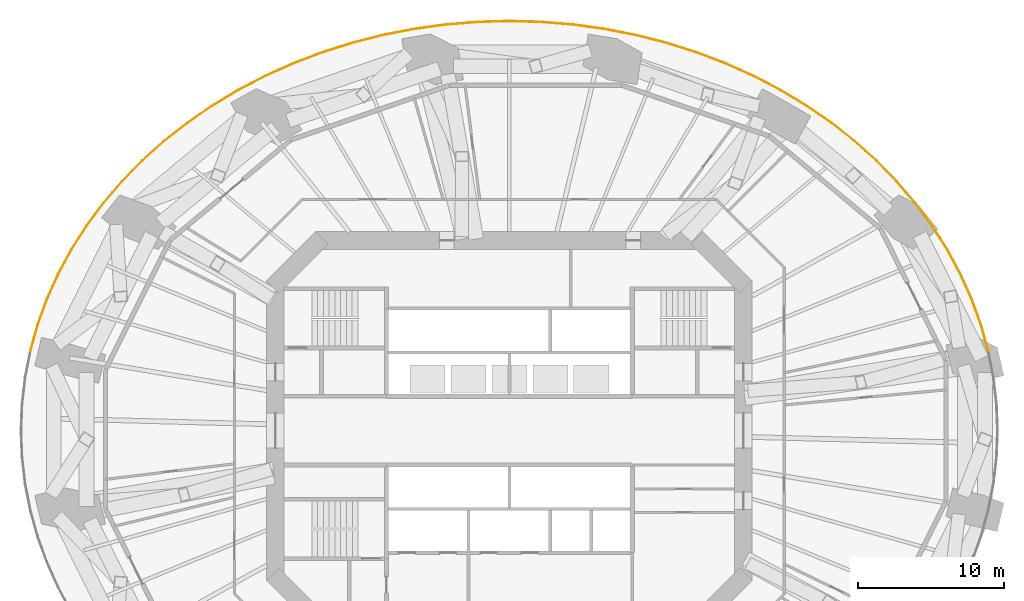
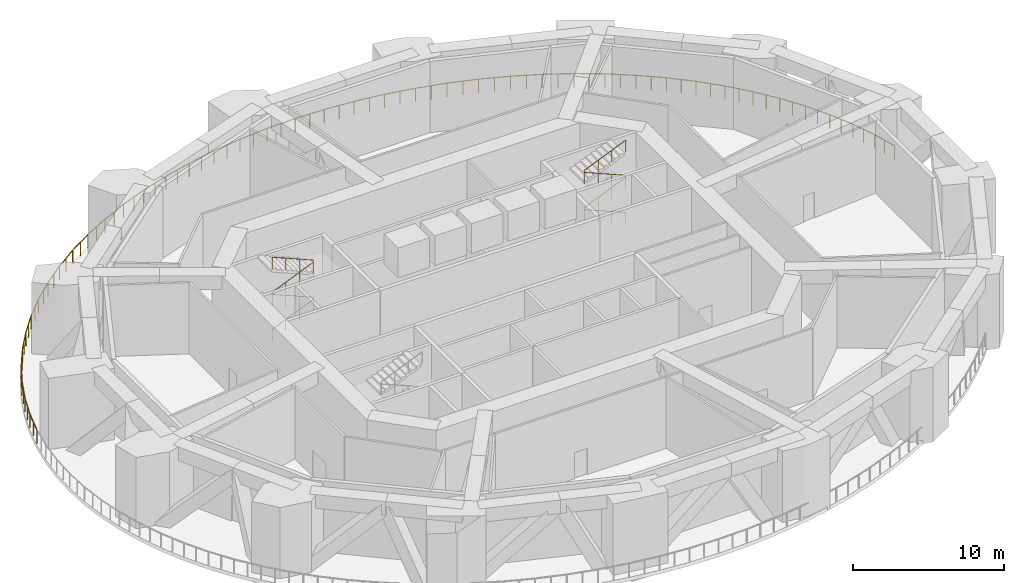
# One storey, part 10 of 12: 9 railings.
"""IFC4 building model written with IfcOpenShell, lengths in metres."""

from ifc_helpers import new_model, si_unit, direction, frame, origin, origin_2d, place, context, subcontext, project, spatial, circle, extrude, material, type_object, element, save


model = new_model("IFC4")

# Units and contexts
model_context = context("Model", 3, precision=1e-05, world=origin(), true_north=direction((0.0, 1.0)))
body_context = subcontext(model_context, "Body", "Model", "MODEL_VIEW")
ifc_project = project(units=[si_unit("LENGTHUNIT", "METRE"), si_unit("AREAUNIT", "SQUARE_METRE"), si_unit("VOLUMEUNIT", "CUBIC_METRE"), si_unit("PLANEANGLEUNIT", "RADIAN"), si_unit("MASSUNIT", "GRAM", prefix="KILO")], contexts=[model_context])

# Site, building, storey
site_placement = place(None, origin())
site = spatial("IfcSite", under=ifc_project, at=site_placement, CompositionType="ELEMENT")
building_placement = place(site_placement, origin())
building = spatial("IfcBuilding", under=site, at=building_placement, Name="Marenthal Gate Tower", CompositionType="ELEMENT")
storey_placement = place(building_placement, frame((0.0, 0.0, 149.64990234375)))
storey = spatial("IfcBuildingStorey", under=building, at=storey_placement, Name="L32", CompositionType="ELEMENT", Elevation=149.64990234375)

# Railings
ifc_material_1 = material(Name="Stainless steel", Category="steel")
railing_type_1 = type_object("IfcRailingType", Name="Balcony guard 1100", PredefinedType="GUARDRAIL", material=ifc_material_1)
railing_1_placement = place(storey_placement, frame((32.7412109375, 5.459228515625, 0.0)))
element("IfcRailing", 1, at=railing_1_placement, inside=storey, type_object=railing_type_1, Name="Refuge band guard L32 bay 1", PredefinedType="GUARDRAIL", context=body_context, shape_type="SweptSolid", body=[
    extrude(circle(Radius=0.02392578125, at=origin_2d()), frame((0.0, 0.0, 1.076171875), z_axis=(-0.267745901035, 0.96348956013, 0.0), x_axis=(-0.96348956013, -0.267745901035, 0.0)), (0.0, 0.0, 1.0), 1.85107421875),
    extrude(circle(Radius=0.02392578125, at=origin_2d()), frame((-0.49560546875, 1.783447265625, 1.076171875), z_axis=(-0.339985708221, 0.940430602546, 0.0), x_axis=(-0.940430602546, -0.339985708221, 0.0)), (0.0, 0.0, 1.0), 1.863525390625),
    extrude(circle(Radius=0.02392578125, at=origin_2d()), frame((-1.129150390625, 3.535888671875, 1.076171875), z_axis=(-0.409235005447, 0.912429016591, 0.0), x_axis=(-0.912429016591, -0.409235005447, 0.0)), (0.0, 0.0, 1.0), 1.878662109375),
    extrude(circle(Radius=0.02392578125, at=origin_2d()), frame((-1.89794921875, 5.25, 1.076171875), z_axis=(-0.475212709852, 0.879870945307, 0.0), x_axis=(-0.879870945307, -0.475212709852, 0.0)), (0.0, 0.0, 1.0), 1.896240234375),
    extrude(circle(Radius=0.02392578125, at=origin_2d()), frame((-2.799072265625, 6.91845703125, 1.076171875), z_axis=(-0.537254826566, 0.843419973282, 0.0), x_axis=(-0.843419973282, -0.537254826566, 0.0)), (0.0, 0.0, 1.0), 1.915283203125),
    extrude(circle(Radius=0.02392578125, at=origin_2d()), frame((-3.828125, 8.533935546875, 1.076171875), z_axis=(-0.595471752599, 0.803376245514, 0.0), x_axis=(-0.803376245514, -0.595471752599, 0.0)), (0.0, 0.0, 1.0), 1.9365234375),
    extrude(circle(Radius=0.02099609375, at=origin_2d()), origin(), (0.0, 0.0, 1.0), 1.052001953125),
    extrude(circle(Radius=0.02099609375, at=origin_2d()), frame((-0.247802734375, 0.8916015625, 0.0)), (0.0, 0.0, 1.0), 1.052001953125),
    extrude(circle(Radius=0.02099609375, at=origin_2d()), frame((-0.49560546875, 1.783447265625, 0.0)), (0.0, 0.0, 1.0), 1.052001953125),
    extrude(circle(Radius=0.02099609375, at=origin_2d()), frame((-0.8125, 2.65966796875, 0.0)), (0.0, 0.0, 1.0), 1.052001953125),
    extrude(circle(Radius=0.02099609375, at=origin_2d()), frame((-1.129150390625, 3.535888671875, 0.0)), (0.0, 0.0, 1.0), 1.052001953125),
    extrude(circle(Radius=0.02099609375, at=origin_2d()), frame((-1.513671875, 4.39306640625, 0.0)), (0.0, 0.0, 1.0), 1.052001953125),
    extrude(circle(Radius=0.02099609375, at=origin_2d()), frame((-1.89794921875, 5.25, 0.0)), (0.0, 0.0, 1.0), 1.052001953125),
    extrude(circle(Radius=0.02099609375, at=origin_2d()), frame((-2.3486328125, 6.084228515625, 0.0)), (0.0, 0.0, 1.0), 1.052001953125),
    extrude(circle(Radius=0.02099609375, at=origin_2d()), frame((-2.799072265625, 6.91845703125, 0.0)), (0.0, 0.0, 1.0), 1.052001953125),
    extrude(circle(Radius=0.02099609375, at=origin_2d()), frame((-3.3134765625, 7.72607421875, 0.0)), (0.0, 0.0, 1.0), 1.052001953125),
    extrude(circle(Radius=0.02099609375, at=origin_2d()), frame((-3.828125, 8.533935546875, 0.0)), (0.0, 0.0, 1.0), 1.052001953125),
    extrude(circle(Radius=0.02099609375, at=origin_2d()), frame((-4.40478515625, 9.311767578125, 0.0)), (0.0, 0.0, 1.0), 1.052001953125),
    extrude(circle(Radius=0.02099609375, at=origin_2d()), frame((-4.981201171875, 10.089599609375, 0.0)), (0.0, 0.0, 1.0), 1.052001953125),
])
railing_2_placement = place(storey_placement, frame((27.760009765625, 15.548828125, 0.0)))
element("IfcRailing", 2, at=railing_2_placement, inside=storey, type_object=railing_type_1, Name="Refuge band guard L32 bay 2", PredefinedType="GUARDRAIL", context=body_context, shape_type="SweptSolid", body=[
    extrude(circle(Radius=0.02392578125, at=origin_2d()), frame((0.0, 0.0, 1.076171875), z_axis=(-0.649322174047, 0.760513454379, 0.0), x_axis=(-0.760513454379, -0.649322174047, 0.0)), (0.0, 0.0, 1.0), 1.95849609375),
    extrude(circle(Radius=0.02392578125, at=origin_2d()), frame((-1.271728515625, 1.489501953125, 1.076171875), z_axis=(-0.699300999603, 0.714827330167, 0.0), x_axis=(-0.714827330167, -0.699300999603, 0.0)), (0.0, 0.0, 1.0), 1.981201171875),
    extrude(circle(Radius=0.02392578125, at=origin_2d()), frame((-2.6572265625, 2.90576171875, 1.076171875), z_axis=(-0.744776062961, 0.667314480616, 0.0), x_axis=(-0.667314480616, -0.744776062961, 0.0)), (0.0, 0.0, 1.0), 2.004638671875),
    extrude(circle(Radius=0.02392578125, at=origin_2d()), frame((-4.150146484375, 4.243408203125, 1.076171875), z_axis=(-0.786301624958, 0.617842823531, 0.0), x_axis=(-0.617842823531, -0.786301624958, 0.0)), (0.0, 0.0, 1.0), 2.027587890625),
    extrude(circle(Radius=0.02392578125, at=origin_2d()), frame((-5.744384765625, 5.49609375, 1.076171875), z_axis=(-0.823583008106, 0.567195758763, 0.0), x_axis=(-0.567195758763, -0.823583008106, 0.0)), (0.0, 0.0, 1.0), 2.050048828125),
    extrude(circle(Radius=0.02392578125, at=origin_2d()), frame((-7.432861328125, 6.658935546875, 1.076171875), z_axis=(-0.85704556715, 0.51524061935, 0.0), x_axis=(-0.51524061935, -0.85704556715, 0.0)), (0.0, 0.0, 1.0), 2.072021484375),
    extrude(circle(Radius=0.02099609375, at=origin_2d()), origin(), (0.0, 0.0, 1.0), 1.052001953125),
    extrude(circle(Radius=0.02099609375, at=origin_2d()), frame((-0.6357421875, 0.74462890625, 0.0)), (0.0, 0.0, 1.0), 1.052001953125),
    extrude(circle(Radius=0.02099609375, at=origin_2d()), frame((-1.271728515625, 1.489501953125, 0.0)), (0.0, 0.0, 1.0), 1.052001953125),
    extrude(circle(Radius=0.02099609375, at=origin_2d()), frame((-1.96435546875, 2.19775390625, 0.0)), (0.0, 0.0, 1.0), 1.052001953125),
    extrude(circle(Radius=0.02099609375, at=origin_2d()), frame((-2.6572265625, 2.90576171875, 0.0)), (0.0, 0.0, 1.0), 1.052001953125),
    extrude(circle(Radius=0.02099609375, at=origin_2d()), frame((-3.40380859375, 3.57470703125, 0.0)), (0.0, 0.0, 1.0), 1.052001953125),
    extrude(circle(Radius=0.02099609375, at=origin_2d()), frame((-4.150146484375, 4.243408203125, 0.0)), (0.0, 0.0, 1.0), 1.052001953125),
    extrude(circle(Radius=0.02099609375, at=origin_2d()), frame((-4.947265625, 4.86962890625, 0.0)), (0.0, 0.0, 1.0), 1.052001953125),
    extrude(circle(Radius=0.02099609375, at=origin_2d()), frame((-5.744384765625, 5.49609375, 0.0)), (0.0, 0.0, 1.0), 1.052001953125),
    extrude(circle(Radius=0.02099609375, at=origin_2d()), frame((-6.588623046875, 6.07763671875, 0.0)), (0.0, 0.0, 1.0), 1.052001953125),
    extrude(circle(Radius=0.02099609375, at=origin_2d()), frame((-7.432861328125, 6.658935546875, 0.0)), (0.0, 0.0, 1.0), 1.052001953125),
    extrude(circle(Radius=0.02099609375, at=origin_2d()), frame((-8.32080078125, 7.19287109375, 0.0)), (0.0, 0.0, 1.0), 1.052001953125),
    extrude(circle(Radius=0.02099609375, at=origin_2d()), frame((-9.208740234375, 7.7265625, 0.0)), (0.0, 0.0, 1.0), 1.052001953125),
])
railing_3_placement = place(storey_placement, frame((18.55126953125, 23.275390625, 0.0)))
element("IfcRailing", 3, at=railing_3_placement, inside=storey, type_object=railing_type_1, Name="Refuge band guard L32 bay 3", PredefinedType="GUARDRAIL", context=body_context, shape_type="SweptSolid", body=[
    extrude(circle(Radius=0.02392578125, at=origin_2d()), frame((0.0, 0.0, 1.076171875), z_axis=(-0.886570283729, 0.462593916961, 0.0), x_axis=(-0.462593916961, -0.886570283729, 0.0)), (0.0, 0.0, 1.0), 2.092529296875),
    extrude(circle(Radius=0.02392578125, at=origin_2d()), frame((-1.855224609375, 0.968017578125, 1.076171875), z_axis=(-0.912414062533, 0.409268345333, 0.0), x_axis=(-0.409268345333, -0.912414062533, 0.0)), (0.0, 0.0, 1.0), 2.11181640625),
    extrude(circle(Radius=0.02392578125, at=origin_2d()), frame((-3.781982421875, 1.832275390625, 1.076171875), z_axis=(-0.934736360332, 0.355341999591, 0.0), x_axis=(-0.355341999591, -0.934736360332, 0.0)), (0.0, 0.0, 1.0), 2.129150390625),
    extrude(circle(Radius=0.02392578125, at=origin_2d()), frame((-5.772216796875, 2.5888671875, 1.076171875), z_axis=(-0.953584385732, 0.301125919324, 0.0), x_axis=(-0.301125919324, -0.953584385732, 0.0)), (0.0, 0.0, 1.0), 2.14453125),
    extrude(circle(Radius=0.02392578125, at=origin_2d()), frame((-7.817138671875, 3.234619140625, 1.076171875), z_axis=(-0.969102091628, 0.246659960274, 0.0), x_axis=(-0.246659960274, -0.969102091628, 0.0)), (0.0, 0.0, 1.0), 2.15771484375),
    extrude(circle(Radius=0.02392578125, at=origin_2d()), frame((-9.908203125, 3.766845703125, 1.076171875), z_axis=(-0.98140326105, 0.19195738902, 0.0), x_axis=(-0.19195738902, -0.98140326105, 0.0)), (0.0, 0.0, 1.0), 2.16845703125),
    extrude(circle(Radius=0.02099609375, at=origin_2d()), origin(), (0.0, 0.0, 1.0), 1.052001953125),
    extrude(circle(Radius=0.02099609375, at=origin_2d()), frame((-0.927734375, 0.48388671875, 0.0)), (0.0, 0.0, 1.0), 1.052001953125),
    extrude(circle(Radius=0.02099609375, at=origin_2d()), frame((-1.855224609375, 0.968017578125, 0.0)), (0.0, 0.0, 1.0), 1.052001953125),
    extrude(circle(Radius=0.02099609375, at=origin_2d()), frame((-2.818603515625, 1.400146484375, 0.0)), (0.0, 0.0, 1.0), 1.052001953125),
    extrude(circle(Radius=0.02099609375, at=origin_2d()), frame((-3.781982421875, 1.832275390625, 0.0)), (0.0, 0.0, 1.0), 1.052001953125),
    extrude(circle(Radius=0.02099609375, at=origin_2d()), frame((-4.777099609375, 2.21044921875, 0.0)), (0.0, 0.0, 1.0), 1.052001953125),
    extrude(circle(Radius=0.02099609375, at=origin_2d()), frame((-5.772216796875, 2.5888671875, 0.0)), (0.0, 0.0, 1.0), 1.052001953125),
    extrude(circle(Radius=0.02099609375, at=origin_2d()), frame((-6.794677734375, 2.91162109375, 0.0)), (0.0, 0.0, 1.0), 1.052001953125),
    extrude(circle(Radius=0.02099609375, at=origin_2d()), frame((-7.817138671875, 3.234619140625, 0.0)), (0.0, 0.0, 1.0), 1.052001953125),
    extrude(circle(Radius=0.02099609375, at=origin_2d()), frame((-8.86279296875, 3.500732421875, 0.0)), (0.0, 0.0, 1.0), 1.052001953125),
    extrude(circle(Radius=0.02099609375, at=origin_2d()), frame((-9.908203125, 3.766845703125, 0.0)), (0.0, 0.0, 1.0), 1.052001953125),
    extrude(circle(Radius=0.02099609375, at=origin_2d()), frame((-10.97216796875, 3.97509765625, 0.0)), (0.0, 0.0, 1.0), 1.052001953125),
    extrude(circle(Radius=0.02099609375, at=origin_2d()), frame((-12.036376953125, 4.18310546875, 0.0)), (0.0, 0.0, 1.0), 1.052001953125),
])
railing_4_placement = place(storey_placement, frame((6.514892578125, 27.45849609375, 0.0)))
element("IfcRailing", 4, at=railing_4_placement, inside=storey, type_object=railing_type_1, Name="Refuge band guard L32 bay 4", PredefinedType="GUARDRAIL", context=body_context, shape_type="SweptSolid", body=[
    extrude(circle(Radius=0.02392578125, at=origin_2d()), frame((0.0, 0.0, 1.076171875), z_axis=(-0.990530867855, 0.13729020295, 0.0), x_axis=(-0.13729020295, -0.990530867855, 0.0)), (0.0, 0.0, 1.0), 2.176513671875),
    extrude(circle(Radius=0.02392578125, at=origin_2d()), frame((-2.156005859375, 0.298828125, 1.076171875), z_axis=(-0.996604149015, 0.082341788693, 0.0), x_axis=(-0.082341788693, -0.996604149015, 0.0)), (0.0, 0.0, 1.0), 2.18212890625),
    extrude(circle(Radius=0.02392578125, at=origin_2d()), frame((-4.330810546875, 0.478515625, 1.076171875), z_axis=(-0.999622135389, 0.02748793263, 0.0), x_axis=(-0.02748793263, -0.999622135389, 0.0)), (0.0, 0.0, 1.0), 2.184814453125),
    extrude(circle(Radius=0.02392578125, at=origin_2d()), frame((-6.514892578125, 0.53857421875, 1.076171875), z_axis=(-0.999622135389, -0.02748793263, 0.0), x_axis=(0.02748793263, -0.999622135389, 0.0)), (0.0, 0.0, 1.0), 2.184814453125),
    extrude(circle(Radius=0.02392578125, at=origin_2d()), frame((-8.698974609375, 0.478515625, 1.076171875), z_axis=(-0.996604149015, -0.082341788693, 0.0), x_axis=(0.082341788693, -0.996604149015, 0.0)), (0.0, 0.0, 1.0), 2.18212890625),
    extrude(circle(Radius=0.02392578125, at=origin_2d()), frame((-10.873779296875, 0.298828125, 1.076171875), z_axis=(-0.990530867855, -0.13729020295, 0.0), x_axis=(0.13729020295, -0.990530867855, 0.0)), (0.0, 0.0, 1.0), 2.176513671875),
    extrude(circle(Radius=0.02099609375, at=origin_2d()), origin(), (0.0, 0.0, 1.0), 1.052001953125),
    extrude(circle(Radius=0.02099609375, at=origin_2d()), frame((-1.078125, 0.1494140625, 0.0)), (0.0, 0.0, 1.0), 1.052001953125),
    extrude(circle(Radius=0.02099609375, at=origin_2d()), frame((-2.156005859375, 0.298828125, 0.0)), (0.0, 0.0, 1.0), 1.052001953125),
    extrude(circle(Radius=0.02099609375, at=origin_2d()), frame((-3.243408203125, 0.388671875, 0.0)), (0.0, 0.0, 1.0), 1.052001953125),
    extrude(circle(Radius=0.02099609375, at=origin_2d()), frame((-4.330810546875, 0.478515625, 0.0)), (0.0, 0.0, 1.0), 1.052001953125),
    extrude(circle(Radius=0.02099609375, at=origin_2d()), frame((-5.4228515625, 0.508544921875, 0.0)), (0.0, 0.0, 1.0), 1.052001953125),
    extrude(circle(Radius=0.02099609375, at=origin_2d()), frame((-6.514892578125, 0.53857421875, 0.0)), (0.0, 0.0, 1.0), 1.052001953125),
    extrude(circle(Radius=0.02099609375, at=origin_2d()), frame((-7.60693359375, 0.508544921875, 0.0)), (0.0, 0.0, 1.0), 1.052001953125),
    extrude(circle(Radius=0.02099609375, at=origin_2d()), frame((-8.698974609375, 0.478515625, 0.0)), (0.0, 0.0, 1.0), 1.052001953125),
    extrude(circle(Radius=0.02099609375, at=origin_2d()), frame((-9.786376953125, 0.388671875, 0.0)), (0.0, 0.0, 1.0), 1.052001953125),
    extrude(circle(Radius=0.02099609375, at=origin_2d()), frame((-10.873779296875, 0.298828125, 0.0)), (0.0, 0.0, 1.0), 1.052001953125),
    extrude(circle(Radius=0.02099609375, at=origin_2d()), frame((-11.95166015625, 0.1494140625, 0.0)), (0.0, 0.0, 1.0), 1.052001953125),
    extrude(circle(Radius=0.02099609375, at=origin_2d()), frame((-13.02978515625, 0.0, 0.0)), (0.0, 0.0, 1.0), 1.052001953125),
])
railing_5_placement = place(storey_placement, frame((-6.514892578125, 27.45849609375, 0.0)))
element("IfcRailing", 5, at=railing_5_placement, inside=storey, type_object=railing_type_1, Name="Refuge band guard L32 bay 5", PredefinedType="GUARDRAIL", context=body_context, shape_type="SweptSolid", body=[
    extrude(circle(Radius=0.02392578125, at=origin_2d()), frame((0.0, 0.0, 1.076171875), z_axis=(-0.98140326105, -0.19195738902, 0.0), x_axis=(0.19195738902, -0.98140326105, 0.0)), (0.0, 0.0, 1.0), 2.16845703125),
    extrude(circle(Radius=0.02392578125, at=origin_2d()), frame((-2.128173828125, -0.416259765625, 1.076171875), z_axis=(-0.969102091628, -0.246659960274, 0.0), x_axis=(0.246659960274, -0.969102091628, 0.0)), (0.0, 0.0, 1.0), 2.15771484375),
    extrude(circle(Radius=0.02392578125, at=origin_2d()), frame((-4.21923828125, -0.948486328125, 1.076171875), z_axis=(-0.953584385732, -0.301125919324, 0.0), x_axis=(0.301125919324, -0.953584385732, 0.0)), (0.0, 0.0, 1.0), 2.14453125),
    extrude(circle(Radius=0.02392578125, at=origin_2d()), frame((-6.26416015625, -1.59423828125, 1.076171875), z_axis=(-0.934736360332, -0.355341999591, 0.0), x_axis=(0.355341999591, -0.934736360332, 0.0)), (0.0, 0.0, 1.0), 2.129150390625),
    extrude(circle(Radius=0.02392578125, at=origin_2d()), frame((-8.25439453125, -2.350830078125, 1.076171875), z_axis=(-0.912414062533, -0.409268345333, 0.0), x_axis=(0.409268345333, -0.912414062533, 0.0)), (0.0, 0.0, 1.0), 2.11181640625),
    extrude(circle(Radius=0.02392578125, at=origin_2d()), frame((-10.18115234375, -3.215087890625, 1.076171875), z_axis=(-0.886570283729, -0.462593916961, 0.0), x_axis=(0.462593916961, -0.886570283729, 0.0)), (0.0, 0.0, 1.0), 2.092529296875),
    extrude(circle(Radius=0.02099609375, at=origin_2d()), origin(), (0.0, 0.0, 1.0), 1.052001953125),
    extrude(circle(Radius=0.02099609375, at=origin_2d()), frame((-1.06396484375, -0.2080078125, 0.0)), (0.0, 0.0, 1.0), 1.052001953125),
    extrude(circle(Radius=0.02099609375, at=origin_2d()), frame((-2.128173828125, -0.416259765625, 0.0)), (0.0, 0.0, 1.0), 1.052001953125),
    extrude(circle(Radius=0.02099609375, at=origin_2d()), frame((-3.173828125, -0.682373046875, 0.0)), (0.0, 0.0, 1.0), 1.052001953125),
    extrude(circle(Radius=0.02099609375, at=origin_2d()), frame((-4.21923828125, -0.948486328125, 0.0)), (0.0, 0.0, 1.0), 1.052001953125),
    extrude(circle(Radius=0.02099609375, at=origin_2d()), frame((-5.24169921875, -1.271484375, 0.0)), (0.0, 0.0, 1.0), 1.052001953125),
    extrude(circle(Radius=0.02099609375, at=origin_2d()), frame((-6.26416015625, -1.59423828125, 0.0)), (0.0, 0.0, 1.0), 1.052001953125),
    extrude(circle(Radius=0.02099609375, at=origin_2d()), frame((-7.25927734375, -1.97265625, 0.0)), (0.0, 0.0, 1.0), 1.052001953125),
    extrude(circle(Radius=0.02099609375, at=origin_2d()), frame((-8.25439453125, -2.350830078125, 0.0)), (0.0, 0.0, 1.0), 1.052001953125),
    extrude(circle(Radius=0.02099609375, at=origin_2d()), frame((-9.2177734375, -2.782958984375, 0.0)), (0.0, 0.0, 1.0), 1.052001953125),
    extrude(circle(Radius=0.02099609375, at=origin_2d()), frame((-10.18115234375, -3.215087890625, 0.0)), (0.0, 0.0, 1.0), 1.052001953125),
    extrude(circle(Radius=0.02099609375, at=origin_2d()), frame((-11.10888671875, -3.69921875, 0.0)), (0.0, 0.0, 1.0), 1.052001953125),
    extrude(circle(Radius=0.02099609375, at=origin_2d()), frame((-12.036376953125, -4.18310546875, 0.0)), (0.0, 0.0, 1.0), 1.052001953125),
])
railing_6_placement = place(storey_placement, frame((-18.55126953125, 23.275390625, 0.0)))
element("IfcRailing", 6, at=railing_6_placement, inside=storey, type_object=railing_type_1, Name="Refuge band guard L32 bay 6", PredefinedType="GUARDRAIL", context=body_context, shape_type="SweptSolid", body=[
    extrude(circle(Radius=0.02392578125, at=origin_2d()), frame((0.0, 0.0, 1.076171875), z_axis=(-0.85704556715, -0.51524061935, 0.0), x_axis=(0.51524061935, -0.85704556715, 0.0)), (0.0, 0.0, 1.0), 2.072021484375),
    extrude(circle(Radius=0.02392578125, at=origin_2d()), frame((-1.77587890625, -1.067626953125, 1.076171875), z_axis=(-0.823583008106, -0.567195758763, 0.0), x_axis=(0.567195758763, -0.823583008106, 0.0)), (0.0, 0.0, 1.0), 2.050048828125),
    extrude(circle(Radius=0.02392578125, at=origin_2d()), frame((-3.46435546875, -2.23046875, 1.076171875), z_axis=(-0.786301624958, -0.617842823531, 0.0), x_axis=(0.617842823531, -0.786301624958, 0.0)), (0.0, 0.0, 1.0), 2.027587890625),
    extrude(circle(Radius=0.02392578125, at=origin_2d()), frame((-5.05859375, -3.483154296875, 1.076171875), z_axis=(-0.744776062961, -0.667314480616, 0.0), x_axis=(0.667314480616, -0.744776062961, 0.0)), (0.0, 0.0, 1.0), 2.004638671875),
    extrude(circle(Radius=0.02392578125, at=origin_2d()), frame((-6.551513671875, -4.82080078125, 1.076171875), z_axis=(-0.699300999603, -0.714827330167, 0.0), x_axis=(0.714827330167, -0.699300999603, 0.0)), (0.0, 0.0, 1.0), 1.981201171875),
    extrude(circle(Radius=0.02392578125, at=origin_2d()), frame((-7.93701171875, -6.237060546875, 1.076171875), z_axis=(-0.649322174047, -0.760513454379, 0.0), x_axis=(0.760513454379, -0.649322174047, 0.0)), (0.0, 0.0, 1.0), 1.95849609375),
    extrude(circle(Radius=0.02099609375, at=origin_2d()), origin(), (0.0, 0.0, 1.0), 1.052001953125),
    extrude(circle(Radius=0.02099609375, at=origin_2d()), frame((-0.887939453125, -0.53369140625, 0.0)), (0.0, 0.0, 1.0), 1.052001953125),
    extrude(circle(Radius=0.02099609375, at=origin_2d()), frame((-1.77587890625, -1.067626953125, 0.0)), (0.0, 0.0, 1.0), 1.052001953125),
    extrude(circle(Radius=0.02099609375, at=origin_2d()), frame((-2.6201171875, -1.64892578125, 0.0)), (0.0, 0.0, 1.0), 1.052001953125),
    extrude(circle(Radius=0.02099609375, at=origin_2d()), frame((-3.46435546875, -2.23046875, 0.0)), (0.0, 0.0, 1.0), 1.052001953125),
    extrude(circle(Radius=0.02099609375, at=origin_2d()), frame((-4.261474609375, -2.85693359375, 0.0)), (0.0, 0.0, 1.0), 1.052001953125),
    extrude(circle(Radius=0.02099609375, at=origin_2d()), frame((-5.05859375, -3.483154296875, 0.0)), (0.0, 0.0, 1.0), 1.052001953125),
    extrude(circle(Radius=0.02099609375, at=origin_2d()), frame((-5.80517578125, -4.15185546875, 0.0)), (0.0, 0.0, 1.0), 1.052001953125),
    extrude(circle(Radius=0.02099609375, at=origin_2d()), frame((-6.551513671875, -4.82080078125, 0.0)), (0.0, 0.0, 1.0), 1.052001953125),
    extrude(circle(Radius=0.02099609375, at=origin_2d()), frame((-7.244140625, -5.52880859375, 0.0)), (0.0, 0.0, 1.0), 1.052001953125),
    extrude(circle(Radius=0.02099609375, at=origin_2d()), frame((-7.93701171875, -6.237060546875, 0.0)), (0.0, 0.0, 1.0), 1.052001953125),
    extrude(circle(Radius=0.02099609375, at=origin_2d()), frame((-8.57275390625, -6.98193359375, 0.0)), (0.0, 0.0, 1.0), 1.052001953125),
    extrude(circle(Radius=0.02099609375, at=origin_2d()), frame((-9.208740234375, -7.7265625, 0.0)), (0.0, 0.0, 1.0), 1.052001953125),
])
railing_7_placement = place(storey_placement, frame((-27.760009765625, 15.548828125, 0.0)))
element("IfcRailing", 7, at=railing_7_placement, inside=storey, type_object=railing_type_1, Name="Refuge band guard L32 bay 7", PredefinedType="GUARDRAIL", context=body_context, shape_type="SweptSolid", body=[
    extrude(circle(Radius=0.02392578125, at=origin_2d()), frame((0.0, 0.0, 1.076171875), z_axis=(-0.595471752599, -0.803376245514, 0.0), x_axis=(0.803376245514, -0.595471752599, 0.0)), (0.0, 0.0, 1.0), 1.9365234375),
    extrude(circle(Radius=0.02392578125, at=origin_2d()), frame((-1.153076171875, -1.5556640625, 1.076171875), z_axis=(-0.537254826566, -0.843419973282, 0.0), x_axis=(0.843419973282, -0.537254826566, 0.0)), (0.0, 0.0, 1.0), 1.915283203125),
    extrude(circle(Radius=0.02392578125, at=origin_2d()), frame((-2.18212890625, -3.171142578125, 1.076171875), z_axis=(-0.475212709852, -0.879870945307, 0.0), x_axis=(0.879870945307, -0.475212709852, 0.0)), (0.0, 0.0, 1.0), 1.896240234375),
    extrude(circle(Radius=0.02392578125, at=origin_2d()), frame((-3.083251953125, -4.839599609375, 1.076171875), z_axis=(-0.409235005447, -0.912429016591, 0.0), x_axis=(0.912429016591, -0.409235005447, 0.0)), (0.0, 0.0, 1.0), 1.878662109375),
    extrude(circle(Radius=0.02392578125, at=origin_2d()), frame((-3.85205078125, -6.5537109375, 1.076171875), z_axis=(-0.339985708221, -0.940430602546, 0.0), x_axis=(0.940430602546, -0.339985708221, 0.0)), (0.0, 0.0, 1.0), 1.863525390625),
    extrude(circle(Radius=0.02392578125, at=origin_2d()), frame((-4.485595703125, -8.30615234375, 1.076171875), z_axis=(-0.267745901035, -0.96348956013, 0.0), x_axis=(0.96348956013, -0.267745901035, 0.0)), (0.0, 0.0, 1.0), 1.85107421875),
    extrude(circle(Radius=0.02099609375, at=origin_2d()), origin(), (0.0, 0.0, 1.0), 1.052001953125),
    extrude(circle(Radius=0.02099609375, at=origin_2d()), frame((-0.57666015625, -0.77783203125, 0.0)), (0.0, 0.0, 1.0), 1.052001953125),
    extrude(circle(Radius=0.02099609375, at=origin_2d()), frame((-1.153076171875, -1.5556640625, 0.0)), (0.0, 0.0, 1.0), 1.052001953125),
    extrude(circle(Radius=0.02099609375, at=origin_2d()), frame((-1.66748046875, -2.36328125, 0.0)), (0.0, 0.0, 1.0), 1.052001953125),
    extrude(circle(Radius=0.02099609375, at=origin_2d()), frame((-2.18212890625, -3.171142578125, 0.0)), (0.0, 0.0, 1.0), 1.052001953125),
    extrude(circle(Radius=0.02099609375, at=origin_2d()), frame((-2.6328125, -4.00537109375, 0.0)), (0.0, 0.0, 1.0), 1.052001953125),
    extrude(circle(Radius=0.02099609375, at=origin_2d()), frame((-3.083251953125, -4.839599609375, 0.0)), (0.0, 0.0, 1.0), 1.052001953125),
    extrude(circle(Radius=0.02099609375, at=origin_2d()), frame((-3.4677734375, -5.69677734375, 0.0)), (0.0, 0.0, 1.0), 1.052001953125),
    extrude(circle(Radius=0.02099609375, at=origin_2d()), frame((-3.85205078125, -6.5537109375, 0.0)), (0.0, 0.0, 1.0), 1.052001953125),
    extrude(circle(Radius=0.02099609375, at=origin_2d()), frame((-4.1689453125, -7.429931640625, 0.0)), (0.0, 0.0, 1.0), 1.052001953125),
    extrude(circle(Radius=0.02099609375, at=origin_2d()), frame((-4.485595703125, -8.30615234375, 0.0)), (0.0, 0.0, 1.0), 1.052001953125),
    extrude(circle(Radius=0.02099609375, at=origin_2d()), frame((-4.7333984375, -9.19775390625, 0.0)), (0.0, 0.0, 1.0), 1.052001953125),
    extrude(circle(Radius=0.02099609375, at=origin_2d()), frame((-4.981201171875, -10.089599609375, 0.0)), (0.0, 0.0, 1.0), 1.052001953125),
])
ifc_material_2 = material(Name="Stainless steel", Category="steel")
railing_type_2 = type_object("IfcRailingType", Name="Stair handrail", PredefinedType="HANDRAIL", material=ifc_material_2)
railing_8_placement = place(storey_placement, frame((-13.5, 7.675048828125, 0.166748046875)))
element("IfcRailing", 8, at=railing_8_placement, inside=storey, type_object=railing_type_2, Name="Handrail ST1", PredefinedType="HANDRAIL", context=body_context, shape_type="SweptSolid", body=[
    extrude(circle(Radius=0.0224609375, at=origin_2d()), frame((0.0, 0.0, 0.927490234375), z_axis=(0.920893345203, 0.0, 0.389814631281), x_axis=(0.0, 1.0, 0.0)), (0.0, 0.0, 1.0), 3.420166015625),
    extrude(circle(Radius=0.0224609375, at=origin_2d()), frame((3.149658203125, 0.0, 2.2607421875), z_axis=(0.0, 0.0, 1.0), x_axis=(1.0, 0.0, 0.0)), (0.0, 0.0, 1.0), 0.166748046875),
    extrude(circle(Radius=0.0224609375, at=origin_2d()), frame((3.149658203125, 0.0, 2.427490234375), z_axis=(-0.920893345203, 0.0, 0.389814631281), x_axis=(0.0, -1.0, 0.0)), (0.0, 0.0, 1.0), 3.420166015625),
    extrude(circle(Radius=0.0224609375, at=origin_2d()), frame((0.0, 0.0, 3.7607421875), z_axis=(0.0, 0.0, 1.0), x_axis=(1.0, 0.0, 0.0)), (0.0, 0.0, 1.0), 0.166748046875),
    extrude(circle(Radius=0.0224609375, at=origin_2d()), frame((0.0, 0.0, 3.927490234375), z_axis=(0.920893345203, 0.0, 0.389814631281), x_axis=(0.0, 1.0, 0.0)), (0.0, 0.0, 1.0), 3.420166015625),
    extrude(circle(Radius=0.0224609375, at=origin_2d()), frame((3.149658203125, 0.0, 5.2607421875), z_axis=(0.0, 0.0, 1.0), x_axis=(1.0, 0.0, 0.0)), (0.0, 0.0, 1.0), 0.166748046875),
    extrude(circle(Radius=0.0224609375, at=origin_2d()), frame((3.149658203125, 0.0, 5.427490234375), z_axis=(-0.920893345203, 0.0, 0.389814631281), x_axis=(0.0, -1.0, 0.0)), (0.0, 0.0, 1.0), 3.420166015625),
    extrude(circle(Radius=0.02001953125, at=origin_2d()), origin(), (0.0, 0.0, 1.0), 0.905029296875),
    extrude(circle(Radius=0.02001953125, at=origin_2d()), frame((1.0498046875, 0.0, 0.4443359375)), (0.0, 0.0, 1.0), 0.905029296875),
    extrude(circle(Radius=0.02001953125, at=origin_2d()), frame((2.099853515625, 0.0, 0.888916015625)), (0.0, 0.0, 1.0), 0.905029296875),
    extrude(circle(Radius=0.02001953125, at=origin_2d()), frame((3.149658203125, 0.0, 1.333251953125)), (0.0, 0.0, 1.0), 0.905029296875),
    extrude(circle(Radius=0.02001953125, at=origin_2d()), frame((3.149658203125, 0.0, 1.5)), (0.0, 0.0, 1.0), 0.905029296875),
    extrude(circle(Radius=0.02001953125, at=origin_2d()), frame((2.099853515625, 0.0, 1.9443359375)), (0.0, 0.0, 1.0), 0.905029296875),
    extrude(circle(Radius=0.02001953125, at=origin_2d()), frame((1.0498046875, 0.0, 2.388916015625)), (0.0, 0.0, 1.0), 0.905029296875),
    extrude(circle(Radius=0.02001953125, at=origin_2d()), frame((0.0, 0.0, 2.833251953125)), (0.0, 0.0, 1.0), 0.905029296875),
    extrude(circle(Radius=0.02001953125, at=origin_2d()), frame((0.0, 0.0, 3.0)), (0.0, 0.0, 1.0), 0.905029296875),
    extrude(circle(Radius=0.02001953125, at=origin_2d()), frame((1.0498046875, 0.0, 3.4443359375)), (0.0, 0.0, 1.0), 0.905029296875),
    extrude(circle(Radius=0.02001953125, at=origin_2d()), frame((2.099853515625, 0.0, 3.888916015625)), (0.0, 0.0, 1.0), 0.905029296875),
    extrude(circle(Radius=0.02001953125, at=origin_2d()), frame((3.149658203125, 0.0, 4.333251953125)), (0.0, 0.0, 1.0), 0.905029296875),
    extrude(circle(Radius=0.02001953125, at=origin_2d()), frame((3.149658203125, 0.0, 4.5)), (0.0, 0.0, 1.0), 0.905029296875),
    extrude(circle(Radius=0.02001953125, at=origin_2d()), frame((2.099853515625, 0.0, 4.9443359375)), (0.0, 0.0, 1.0), 0.905029296875),
    extrude(circle(Radius=0.02001953125, at=origin_2d()), frame((1.0498046875, 0.0, 5.388916015625)), (0.0, 0.0, 1.0), 0.905029296875),
    extrude(circle(Radius=0.02001953125, at=origin_2d()), frame((0.0, 0.0, 5.833251953125)), (0.0, 0.0, 1.0), 0.905029296875),
])
railing_9_placement = place(storey_placement, frame((13.5, 7.675048828125, 0.166748046875)))
element("IfcRailing", 9, at=railing_9_placement, inside=storey, type_object=railing_type_2, Name="Handrail ST3", PredefinedType="HANDRAIL", context=body_context, shape_type="SweptSolid", body=[
    extrude(circle(Radius=0.0224609375, at=origin_2d()), frame((0.0, 0.0, 0.927490234375), z_axis=(-0.920893345203, 0.0, 0.389814631281), x_axis=(0.0, -1.0, 0.0)), (0.0, 0.0, 1.0), 3.420166015625),
    extrude(circle(Radius=0.0224609375, at=origin_2d()), frame((-3.149658203125, 0.0, 2.2607421875), z_axis=(0.0, 0.0, 1.0), x_axis=(1.0, 0.0, 0.0)), (0.0, 0.0, 1.0), 0.166748046875),
    extrude(circle(Radius=0.0224609375, at=origin_2d()), frame((-3.149658203125, 0.0, 2.427490234375), z_axis=(0.920893345203, 0.0, 0.389814631281), x_axis=(0.0, 1.0, 0.0)), (0.0, 0.0, 1.0), 3.420166015625),
    extrude(circle(Radius=0.0224609375, at=origin_2d()), frame((0.0, 0.0, 3.7607421875), z_axis=(0.0, 0.0, 1.0), x_axis=(1.0, 0.0, 0.0)), (0.0, 0.0, 1.0), 0.166748046875),
    extrude(circle(Radius=0.0224609375, at=origin_2d()), frame((0.0, 0.0, 3.927490234375), z_axis=(-0.920893345203, 0.0, 0.389814631281), x_axis=(0.0, -1.0, 0.0)), (0.0, 0.0, 1.0), 3.420166015625),
    extrude(circle(Radius=0.0224609375, at=origin_2d()), frame((-3.149658203125, 0.0, 5.2607421875), z_axis=(0.0, 0.0, 1.0), x_axis=(1.0, 0.0, 0.0)), (0.0, 0.0, 1.0), 0.166748046875),
    extrude(circle(Radius=0.0224609375, at=origin_2d()), frame((-3.149658203125, 0.0, 5.427490234375), z_axis=(0.920893345203, 0.0, 0.389814631281), x_axis=(0.0, 1.0, 0.0)), (0.0, 0.0, 1.0), 3.420166015625),
    extrude(circle(Radius=0.02001953125, at=origin_2d()), origin(), (0.0, 0.0, 1.0), 0.905029296875),
    extrude(circle(Radius=0.02001953125, at=origin_2d()), frame((-1.0498046875, 0.0, 0.4443359375)), (0.0, 0.0, 1.0), 0.905029296875),
    extrude(circle(Radius=0.02001953125, at=origin_2d()), frame((-2.099853515625, 0.0, 0.888916015625)), (0.0, 0.0, 1.0), 0.905029296875),
    extrude(circle(Radius=0.02001953125, at=origin_2d()), frame((-3.149658203125, 0.0, 1.333251953125)), (0.0, 0.0, 1.0), 0.905029296875),
    extrude(circle(Radius=0.02001953125, at=origin_2d()), frame((-3.149658203125, 0.0, 1.5)), (0.0, 0.0, 1.0), 0.905029296875),
    extrude(circle(Radius=0.02001953125, at=origin_2d()), frame((-2.099853515625, 0.0, 1.9443359375)), (0.0, 0.0, 1.0), 0.905029296875),
    extrude(circle(Radius=0.02001953125, at=origin_2d()), frame((-1.0498046875, 0.0, 2.388916015625)), (0.0, 0.0, 1.0), 0.905029296875),
    extrude(circle(Radius=0.02001953125, at=origin_2d()), frame((0.0, 0.0, 2.833251953125)), (0.0, 0.0, 1.0), 0.905029296875),
    extrude(circle(Radius=0.02001953125, at=origin_2d()), frame((0.0, 0.0, 3.0)), (0.0, 0.0, 1.0), 0.905029296875),
    extrude(circle(Radius=0.02001953125, at=origin_2d()), frame((-1.0498046875, 0.0, 3.4443359375)), (0.0, 0.0, 1.0), 0.905029296875),
    extrude(circle(Radius=0.02001953125, at=origin_2d()), frame((-2.099853515625, 0.0, 3.888916015625)), (0.0, 0.0, 1.0), 0.905029296875),
    extrude(circle(Radius=0.02001953125, at=origin_2d()), frame((-3.149658203125, 0.0, 4.333251953125)), (0.0, 0.0, 1.0), 0.905029296875),
    extrude(circle(Radius=0.02001953125, at=origin_2d()), frame((-3.149658203125, 0.0, 4.5)), (0.0, 0.0, 1.0), 0.905029296875),
    extrude(circle(Radius=0.02001953125, at=origin_2d()), frame((-2.099853515625, 0.0, 4.9443359375)), (0.0, 0.0, 1.0), 0.905029296875),
    extrude(circle(Radius=0.02001953125, at=origin_2d()), frame((-1.0498046875, 0.0, 5.388916015625)), (0.0, 0.0, 1.0), 0.905029296875),
    extrude(circle(Radius=0.02001953125, at=origin_2d()), frame((0.0, 0.0, 5.833251953125)), (0.0, 0.0, 1.0), 0.905029296875),
])

save(model, "model.ifc")
